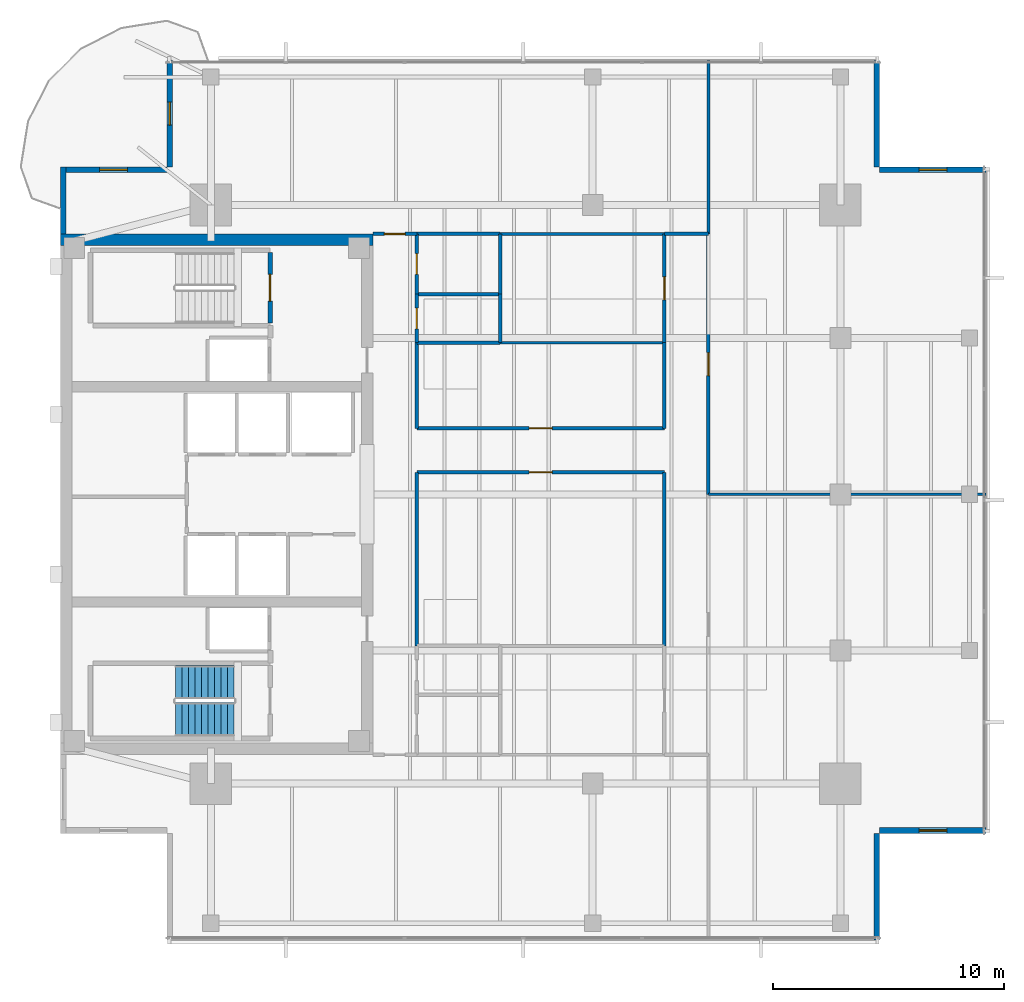
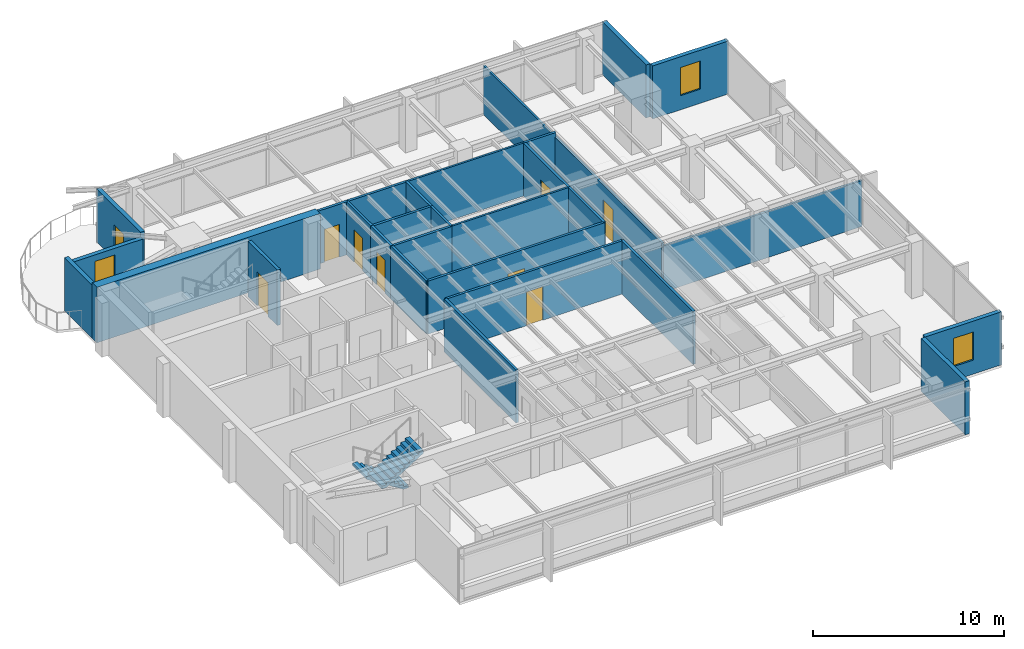
# One storey, part 9 of 14: 30 walls, 9 doors, 3 windows, 2 stair flights, 12 openings, 1 element without a shape of its own.
"""IFC4 building model written with IfcOpenShell, lengths in metres."""

from ifc_helpers import new_model, si_unit, direction, frame, frame_2d, origin, place, context, subcontext, project, spatial, polyline, rectangle, outline, extrude, material, layer, layer_set, type_object, element, fill, aggregate, save


model = new_model("IFC4")

# Units and contexts
model_context = context("Model", 3, precision=1e-05, world=origin(), true_north=direction((0.0, 1.0)))
body_context = subcontext(model_context, "Body", "Model", "MODEL_VIEW")
ifc_project = project(units=[si_unit("LENGTHUNIT", "METRE"), si_unit("AREAUNIT", "SQUARE_METRE"), si_unit("VOLUMEUNIT", "CUBIC_METRE"), si_unit("PLANEANGLEUNIT", "RADIAN"), si_unit("MASSUNIT", "GRAM", prefix="KILO")], contexts=[model_context])

# Site, building, storey
site_placement = place(None, origin())
site = spatial("IfcSite", under=ifc_project, at=site_placement, CompositionType="ELEMENT")
building_placement = place(site_placement, origin())
building = spatial("IfcBuilding", under=site, at=building_placement, Name="Kinhvarn Gate Tower", CompositionType="ELEMENT")
storey_placement = place(building_placement, frame((0.0, 0.0, 259.89990234375)))
storey = spatial("IfcBuildingStorey", under=building, at=storey_placement, Name="L69", CompositionType="ELEMENT", Elevation=259.89990234375)

# Walls
ifc_material_1 = material(Name="Concrete C50/60", Category="concrete")
ifc_layer_1 = layer(ifc_material_1, 0.5)
ifc_layer_set_1 = layer_set([ifc_layer_1], Name="Concrete C50/60")
wall_type_1 = type_object("IfcWallType", Name="WL-CORE-500", PredefinedType="SHEAR", material=ifc_layer_set_1)
wall_1_placement = place(storey_placement, frame((4.5, 36.25, 0.0), z_axis=(0.0, 0.0, 1.0), x_axis=(1.0, 0.0, 0.0)))
element("IfcWall", 1, at=wall_1_placement, inside=storey, type_object=wall_type_1, Name="Core North Shear Wall L69 500 mm", PredefinedType="SHEAR", context=body_context, shape_type="SweptSolid", body=[
    extrude(rectangle(XDim=13.5, YDim=0.5, at=frame_2d((6.75, 0.0))), origin(), (0.0, 0.0, 1.0), 3.550048828125),
])
ifc_material_2 = material(Name="Fired architectural terracotta", Category="masonry")
ifc_layer_2 = layer(ifc_material_2, 0.25)
ifc_layer_set_2 = layer_set([ifc_layer_2], Name="Fired architectural terracotta")
wall_type_2 = type_object("IfcWallType", Name="WL-EXT-250", PredefinedType="SOLIDWALL", material=ifc_layer_set_2)
wall_2_placement = place(storey_placement, frame((4.625, 39.39990234375, 0.0), z_axis=(0.0, 0.0, 1.0), x_axis=(0.0, -1.0, 0.0)))
element("IfcWall", 2, at=wall_2_placement, inside=storey, type_object=wall_type_2, Name="Exterior Solidwall Wall EW-250 (L69 West-North)", PredefinedType="SOLIDWALL", context=body_context, shape_type="SweptSolid", body=[
    extrude(rectangle(XDim=2.89990234375, YDim=0.25, at=frame_2d((1.449951171875, 0.0))), origin(), (0.0, 0.0, 1.0), 3.39013671875),
])
wall_3_placement = place(storey_placement, frame((39.77490234375, 6.0, 0.0), z_axis=(0.0, 0.0, 1.0), x_axis=(0.0, 1.0, 0.0)))
element("IfcWall", 3, at=wall_3_placement, inside=storey, type_object=wall_type_2, Name="Exterior Solidwall Wall EW-250 (L69 SE-Notch-1)", PredefinedType="SOLIDWALL", context=body_context, shape_type="SweptSolid", body=[
    extrude(rectangle(XDim=4.60009765625, YDim=0.25, at=frame_2d((2.300048828125, 0.0))), origin(), (0.0, 0.0, 1.0), 3.39013671875),
])

# Wall, opening, window
wall_4_placement = place(storey_placement, frame((39.89990234375, 10.72509765625, 0.0), z_axis=(0.0, 0.0, 1.0), x_axis=(1.0, 0.0, 0.0)))
wall_4 = element("IfcWall", 4, at=wall_4_placement, inside=storey, type_object=wall_type_2, Name="Exterior Solidwall Wall EW-250 (L69 SE-Notch-2)", PredefinedType="SOLIDWALL", context=body_context, shape_type="SweptSolid", body=[
    extrude(rectangle(XDim=4.60009765625, YDim=0.25, at=frame_2d((2.300048828125, 0.0))), origin(), (0.0, 0.0, 1.0), 3.39013671875),
])
opening_1_placement = place(wall_4_placement, frame((1.699951171875, 0.0, 0.89990234375)))
opening_1 = element("IfcOpeningElement", 5, at=opening_1_placement, cuts=wall_4, Name="Opening WN-02", PredefinedType="OPENING", context=body_context, shape_type="SweptSolid", body=[
    extrude(rectangle(XDim=1.199951171875, YDim=1.800048828125, at=frame_2d((0.60009765625, 0.89990234375))), frame((0.0, 0.135009765625, 0.0), z_axis=(0.0, -1.0, 0.0), x_axis=(1.0, 0.0, 0.0)), (0.0, 0.0, 1.0), 0.27001953125),
])
ifc_material_3 = material(Name="Clear low-e double glazing", Category="glass")
window_type = type_object("IfcWindowType", Name="WIN-NTC-1200", PartitioningType="SINGLE_PANEL", PredefinedType="WINDOW", material=ifc_material_3)
window_1_placement = place(opening_1_placement, origin())
window_1 = element("IfcWindow", 6, at=window_1_placement, inside=storey, type_object=window_type, Name="Recessed Corner Notch Punched Window 1200x1800 mm (L69)", OverallHeight=1.800048828125, OverallWidth=1.199951171875, PartitioningType="SINGLE_PANEL", PredefinedType="WINDOW", context=body_context, shape_type="SweptSolid", body=[
    extrude(rectangle(XDim=1.199951171875, YDim=1.800048828125, at=frame_2d((0.60009765625, 0.89990234375))), frame((0.0, 0.030029296875, 0.0), z_axis=(0.0, -1.0, 0.0), x_axis=(1.0, 0.0, 0.0)), (0.0, 0.0, 1.0), 0.06005859375),
])
fill(opening_1, window_1)

wall_5_placement = place(storey_placement, frame((44.5, 39.27490234375, 0.0), z_axis=(0.0, 0.0, 1.0), x_axis=(-1.0, 0.0, 0.0)))
wall_5 = element("IfcWall", 7, at=wall_5_placement, inside=storey, type_object=wall_type_2, Name="Exterior Solidwall Wall EW-250 (L69 NE-Notch-1)", PredefinedType="SOLIDWALL", context=body_context, shape_type="SweptSolid", body=[
    extrude(rectangle(XDim=4.60009765625, YDim=0.25, at=frame_2d((2.300048828125, 0.0))), origin(), (0.0, 0.0, 1.0), 3.39013671875),
])
opening_2_placement = place(wall_5_placement, frame((1.699951171875, 0.0, 0.89990234375)))
opening_2 = element("IfcOpeningElement", 8, at=opening_2_placement, cuts=wall_5, Name="Opening WN-02", PredefinedType="OPENING", context=body_context, shape_type="SweptSolid", body=[
    extrude(rectangle(XDim=1.199951171875, YDim=1.800048828125, at=frame_2d((0.60009765625, 0.89990234375))), frame((0.0, 0.135009765625, 0.0), z_axis=(0.0, -1.0, 0.0), x_axis=(1.0, 0.0, 0.0)), (0.0, 0.0, 1.0), 0.27001953125),
])
window_2_placement = place(opening_2_placement, origin())
window_2 = element("IfcWindow", 9, at=window_2_placement, inside=storey, type_object=window_type, Name="Recessed Corner Notch Punched Window 1200x1800 mm (L69)", OverallHeight=1.800048828125, OverallWidth=1.199951171875, PartitioningType="SINGLE_PANEL", PredefinedType="WINDOW", context=body_context, shape_type="SweptSolid", body=[
    extrude(rectangle(XDim=1.199951171875, YDim=1.800048828125, at=frame_2d((0.60009765625, 0.89990234375))), frame((0.0, 0.030029296875, 0.0), z_axis=(0.0, -1.0, 0.0), x_axis=(1.0, 0.0, 0.0)), (0.0, 0.0, 1.0), 0.06005859375),
])
fill(opening_2, window_2)

# Wall
wall_6_placement = place(storey_placement, frame((39.77490234375, 39.39990234375, 0.0), z_axis=(0.0, 0.0, 1.0), x_axis=(0.0, 1.0, 0.0)))
element("IfcWall", 10, at=wall_6_placement, inside=storey, type_object=wall_type_2, Name="Exterior Solidwall Wall EW-250 (L69 NE-Notch-2)", PredefinedType="SOLIDWALL", context=body_context, shape_type="SweptSolid", body=[
    extrude(rectangle(XDim=4.60009765625, YDim=0.25, at=frame_2d((2.300048828125, 0.0))), origin(), (0.0, 0.0, 1.0), 3.39013671875),
])

# Wall, opening, door
wall_7_placement = place(storey_placement, frame((9.22509765625, 44.0, 0.0), z_axis=(0.0, 0.0, 1.0), x_axis=(0.0, -1.0, 0.0)))
wall_7 = element("IfcWall", 11, at=wall_7_placement, inside=storey, type_object=wall_type_2, Name="Exterior Solidwall Wall EW-250 (L69 NW-Notch-Door)", PredefinedType="SOLIDWALL", context=body_context, shape_type="SweptSolid", body=[
    extrude(rectangle(XDim=4.60009765625, YDim=0.25, at=frame_2d((2.300048828125, 0.0))), origin(), (0.0, 0.0, 1.0), 3.39013671875),
])
opening_3_placement = place(wall_7_placement, frame((1.800048828125, 0.0, 0.0)))
opening_3 = element("IfcOpeningElement", 12, at=opening_3_placement, cuts=wall_7, Name="Opening BD-01", PredefinedType="OPENING", context=body_context, shape_type="SweptSolid", body=[
    extrude(rectangle(XDim=1.0, YDim=2.199951171875, at=frame_2d((0.5, 1.10009765625))), frame((0.0, 0.135009765625, 0.0), z_axis=(0.0, -1.0, 0.0), x_axis=(1.0, 0.0, 0.0)), (0.0, 0.0, 1.0), 0.27001953125),
])
door_type_1 = type_object("IfcDoorType", Name="DR-BAL-1000", OperationType="NOTDEFINED", PredefinedType="DOOR", material=ifc_material_3)
door_1_placement = place(opening_3_placement, frame((1.0, 0.0, 0.0), z_axis=(0.0, 0.0, 1.0), x_axis=(-1.0, 0.0, 0.0)))
door_1 = element("IfcDoor", 13, at=door_1_placement, inside=storey, type_object=door_type_1, Name="S-Carve Balcony Door BD-01 (L69)", OperationType="SINGLE_SWING_RIGHT", OverallHeight=2.199951171875, OverallWidth=1.0, PredefinedType="DOOR", context=body_context, shape_type="SweptSolid", body=[
    extrude(rectangle(XDim=1.0, YDim=2.199951171875, at=frame_2d((0.5, 1.10009765625))), frame((0.0, 0.02490234375, 0.0), z_axis=(0.0, -1.0, 0.0), x_axis=(1.0, 0.0, 0.0)), (0.0, 0.0, 1.0), 0.050048828125),
])
fill(opening_3, door_1)

# Wall, opening, window
wall_8_placement = place(storey_placement, frame((9.10009765625, 39.27490234375, 0.0), z_axis=(0.0, 0.0, 1.0), x_axis=(-1.0, 0.0, 0.0)))
wall_8 = element("IfcWall", 14, at=wall_8_placement, inside=storey, type_object=wall_type_2, Name="Exterior Solidwall Wall EW-250 (L69 NW-Notch-Win)", PredefinedType="SOLIDWALL", context=body_context, shape_type="SweptSolid", body=[
    extrude(rectangle(XDim=4.60009765625, YDim=0.25, at=frame_2d((2.300048828125, 0.0))), origin(), (0.0, 0.0, 1.0), 3.1201171875),
])
opening_4_placement = place(wall_8_placement, frame((1.699951171875, 0.0, 0.89990234375)))
opening_4 = element("IfcOpeningElement", 15, at=opening_4_placement, cuts=wall_8, Name="Opening WN-02", PredefinedType="OPENING", context=body_context, shape_type="SweptSolid", body=[
    extrude(rectangle(XDim=1.199951171875, YDim=1.800048828125, at=frame_2d((0.60009765625, 0.89990234375))), frame((0.0, 0.135009765625, 0.0), z_axis=(0.0, -1.0, 0.0), x_axis=(1.0, 0.0, 0.0)), (0.0, 0.0, 1.0), 0.27001953125),
])
window_3_placement = place(opening_4_placement, origin())
window_3 = element("IfcWindow", 16, at=window_3_placement, inside=storey, type_object=window_type, Name="Recessed Corner Notch Punched Window 1200x1800 mm (L69)", OverallHeight=1.800048828125, OverallWidth=1.199951171875, PartitioningType="SINGLE_PANEL", PredefinedType="WINDOW", context=body_context, shape_type="SweptSolid", body=[
    extrude(rectangle(XDim=1.199951171875, YDim=1.800048828125, at=frame_2d((0.60009765625, 0.89990234375))), frame((0.0, 0.030029296875, 0.0), z_axis=(0.0, -1.0, 0.0), x_axis=(1.0, 0.0, 0.0)), (0.0, 0.0, 1.0), 0.06005859375),
])
fill(opening_4, window_3)

# Walls
ifc_material_4 = material(Name="Gypsum acoustic partition board")
ifc_layer_3 = layer(ifc_material_4, 0.14990234375)
ifc_layer_set_3 = layer_set([ifc_layer_3], Name="Gypsum acoustic partition board")
wall_type_3 = type_object("IfcWallType", Name="WL-PLM-150", PredefinedType="PLUMBINGWALL", material=ifc_layer_set_3)
wall_9_placement = place(storey_placement, frame((19.89990234375, 33.89990234375, 0.0), z_axis=(0.0, 0.0, 1.0), x_axis=(1.0, 0.0, 0.0)))
element("IfcWall", 17, at=wall_9_placement, inside=storey, type_object=wall_type_3, Name="Interior Partition PLW-150 (L69)", PredefinedType="PLUMBINGWALL", context=body_context, shape_type="SweptSolid", body=[
    extrude(rectangle(XDim=3.60009765625, YDim=0.14990234375, at=frame_2d((1.800048828125, 0.0))), origin(), (0.0, 0.0, 1.0), 3.39013671875),
])
wall_10_placement = place(storey_placement, frame((23.5, 33.89990234375, 0.0), z_axis=(0.0, 0.0, 1.0), x_axis=(0.0, 1.0, 0.0)))
element("IfcWall", 18, at=wall_10_placement, inside=storey, type_object=wall_type_3, Name="Interior Partition PLW-150 (L69)", PredefinedType="PLUMBINGWALL", context=body_context, shape_type="SweptSolid", body=[
    extrude(rectangle(XDim=2.60009765625, YDim=0.14990234375, at=frame_2d((1.300048828125, 0.0))), origin(), (0.0, 0.0, 1.0), 3.39013671875),
])
wall_11_placement = place(storey_placement, frame((19.89990234375, 36.5, 0.0), z_axis=(0.0, 0.0, 1.0), x_axis=(1.0, 0.0, 0.0)))
element("IfcWall", 19, at=wall_11_placement, inside=storey, type_object=wall_type_3, Name="Interior Partition PLW-150 (L69)", PredefinedType="PLUMBINGWALL", context=body_context, shape_type="SweptSolid", body=[
    extrude(rectangle(XDim=3.60009765625, YDim=0.14990234375, at=frame_2d((1.800048828125, 0.0))), origin(), (0.0, 0.0, 1.0), 3.39013671875),
])
wall_12_placement = place(storey_placement, frame((23.5, 31.800048828125, 0.0), z_axis=(0.0, 0.0, 1.0), x_axis=(0.0, 1.0, 0.0)))
element("IfcWall", 20, at=wall_12_placement, inside=storey, type_object=wall_type_3, Name="Interior Partition PLW-150 (L69)", PredefinedType="PLUMBINGWALL", context=body_context, shape_type="SweptSolid", body=[
    extrude(rectangle(XDim=2.099853515625, YDim=0.14990234375, at=frame_2d((1.0498046875, 0.0))), origin(), (0.0, 0.0, 1.0), 3.39013671875),
])
wall_13_placement = place(storey_placement, frame((19.89990234375, 31.800048828125, 0.0), z_axis=(0.0, 0.0, 1.0), x_axis=(1.0, 0.0, 0.0)))
element("IfcWall", 21, at=wall_13_placement, inside=storey, type_object=wall_type_3, Name="Interior Partition PLW-150 (L69)", PredefinedType="PLUMBINGWALL", context=body_context, shape_type="SweptSolid", body=[
    extrude(rectangle(XDim=3.60009765625, YDim=0.14990234375, at=frame_2d((1.800048828125, 0.0))), origin(), (0.0, 0.0, 1.0), 3.39013671875),
])

# Wall, opening, door
ifc_layer_4 = layer(ifc_material_4, 0.14990234375)
ifc_layer_set_4 = layer_set([ifc_layer_4], Name="Gypsum acoustic partition board")
wall_type_4 = type_object("IfcWallType", Name="WL-PLM-150F", PredefinedType="PLUMBINGWALL", material=ifc_layer_set_4)
wall_14_placement = place(storey_placement, frame((19.89990234375, 33.89990234375, 0.0), z_axis=(0.0, 0.0, 1.0), x_axis=(0.0, 1.0, 0.0)))
wall_14 = element("IfcWall", 22, at=wall_14_placement, inside=storey, type_object=wall_type_4, Name="Interior Partition PLW-150F (L69)", PredefinedType="PLUMBINGWALL", context=body_context, shape_type="SweptSolid", body=[
    extrude(rectangle(XDim=2.60009765625, YDim=0.14990234375, at=frame_2d((1.300048828125, 0.0))), origin(), (0.0, 0.0, 1.0), 3.39013671875),
])
opening_5_placement = place(wall_14_placement, frame((0.85009765625, 0.0, 0.0)))
opening_5 = element("IfcOpeningElement", 23, at=opening_5_placement, cuts=wall_14, Name="Opening FD-04", PredefinedType="OPENING", context=body_context, shape_type="SweptSolid", body=[
    extrude(rectangle(XDim=0.89990234375, YDim=2.10009765625, at=frame_2d((0.449951171875, 1.050048828125))), frame((0.0, 0.0849609375, 0.0), z_axis=(0.0, -1.0, 0.0), x_axis=(1.0, 0.0, 0.0)), (0.0, 0.0, 1.0), 0.169921875),
])
ifc_material_5 = material(Name="Anodised aluminium AW-6063", Category="aluminium")
door_type_2 = type_object("IfcDoorType", Name="DR-FD-900", OperationType="NOTDEFINED", PredefinedType="DOOR", material=ifc_material_5)
door_2_placement = place(opening_5_placement, origin())
door_2 = element("IfcDoor", 24, at=door_2_placement, inside=storey, type_object=door_type_2, Name="Rated Riser & Service Closet Fire Door 900x2100 mm (L69)", OperationType="SINGLE_SWING_RIGHT", OverallHeight=2.10009765625, OverallWidth=0.89990234375, PredefinedType="DOOR", context=body_context, shape_type="SweptSolid", body=[
    extrude(rectangle(XDim=0.89990234375, YDim=2.10009765625, at=frame_2d((0.449951171875, 1.050048828125))), frame((0.0, 0.02490234375, 0.0), z_axis=(0.0, -1.0, 0.0), x_axis=(1.0, 0.0, 0.0)), (0.0, 0.0, 1.0), 0.050048828125),
])
fill(opening_5, door_2)

wall_15_placement = place(storey_placement, frame((19.89990234375, 31.800048828125, 0.0), z_axis=(0.0, 0.0, 1.0), x_axis=(0.0, 1.0, 0.0)))
wall_15 = element("IfcWall", 25, at=wall_15_placement, inside=storey, type_object=wall_type_4, Name="Interior Partition PLW-150F (L69)", PredefinedType="PLUMBINGWALL", context=body_context, shape_type="SweptSolid", body=[
    extrude(rectangle(XDim=2.099853515625, YDim=0.14990234375, at=frame_2d((1.0498046875, 0.0))), origin(), (0.0, 0.0, 1.0), 3.39013671875),
])
opening_6_placement = place(wall_15_placement, frame((0.60009765625, 0.0, 0.0)))
opening_6 = element("IfcOpeningElement", 26, at=opening_6_placement, cuts=wall_15, Name="Opening FD-04", PredefinedType="OPENING", context=body_context, shape_type="SweptSolid", body=[
    extrude(rectangle(XDim=0.89990234375, YDim=2.10009765625, at=frame_2d((0.449951171875, 1.050048828125))), frame((0.0, 0.0849609375, 0.0), z_axis=(0.0, -1.0, 0.0), x_axis=(1.0, 0.0, 0.0)), (0.0, 0.0, 1.0), 0.169921875),
])
door_3_placement = place(opening_6_placement, origin())
door_3 = element("IfcDoor", 27, at=door_3_placement, inside=storey, type_object=door_type_2, Name="Rated Riser & Service Closet Fire Door 900x2100 mm (L69)", OperationType="SINGLE_SWING_RIGHT", OverallHeight=2.10009765625, OverallWidth=0.89990234375, PredefinedType="DOOR", context=body_context, shape_type="SweptSolid", body=[
    extrude(rectangle(XDim=0.89990234375, YDim=2.10009765625, at=frame_2d((0.449951171875, 1.050048828125))), frame((0.0, 0.02490234375, 0.0), z_axis=(0.0, -1.0, 0.0), x_axis=(1.0, 0.0, 0.0)), (0.0, 0.0, 1.0), 0.050048828125),
])
fill(opening_6, door_3)

# Walls
ifc_layer_5 = layer(ifc_material_4, 0.1201171875)
ifc_layer_set_5 = layer_set([ifc_layer_5], Name="Gypsum acoustic partition board")
wall_type_5 = type_object("IfcWallType", Name="WL-PRT-120", PredefinedType="PARTITIONING", material=ifc_layer_set_5)
for number, where, z_axis, x_axis, name in (
    (28, (23.5, 31.800048828125, 0.0), (0.0, 0.0, 1.0), (1.0, 0.0, 0.0), "Interior Partition PW-120 (L69)"),
    (29, (23.5, 36.5, 0.0), (0.0, 0.0, 1.0), (1.0, 0.0, 0.0), "Interior Partition PW-120 (L69)"),
):
    element("IfcWall", number, at=place(storey_placement, frame(where, z_axis=z_axis, x_axis=x_axis)), inside=storey, type_object=wall_type_5, Name=name, PredefinedType="PARTITIONING", context=body_context, shape_type="SweptSolid", body=[
        extrude(rectangle(XDim=7.10009765625, YDim=0.1201171875, at=frame_2d((3.550048828125, 0.0))), origin(), (0.0, 0.0, 1.0), 3.39013671875),
    ])
wall_16_placement = place(storey_placement, frame((32.5, 36.5, 0.0), z_axis=(0.0, 0.0, 1.0), x_axis=(0.0, 1.0, 0.0)))
element("IfcWall", 30, at=wall_16_placement, inside=storey, type_object=wall_type_5, Name="Interior Partition PW-120 (L69)", PredefinedType="PARTITIONING", context=body_context, shape_type="SweptSolid", body=[
    extrude(rectangle(XDim=7.489990234375, YDim=0.1201171875, at=frame_2d((3.7451171875, 0.0))), origin(), (0.0, 0.0, 1.0), 3.1201171875),
])
wall_17_placement = place(storey_placement, frame((32.5, 25.25, 0.0), z_axis=(0.0, 0.0, 1.0), x_axis=(1.0, 0.0, 0.0)))
element("IfcWall", 31, at=wall_17_placement, inside=storey, type_object=wall_type_5, Name="Interior Partition PW-120 (L69)", PredefinedType="PARTITIONING", context=body_context, shape_type="SweptSolid", body=[
    extrude(rectangle(XDim=11.989990234375, YDim=0.1201171875, at=frame_2d((5.9951171875, 0.0))), origin(), (0.0, 0.0, 1.0), 2.940185546875),
])
ifc_layer_6 = layer(ifc_material_4, 0.14990234375)
ifc_layer_set_6 = layer_set([ifc_layer_6], Name="Gypsum acoustic partition board")
wall_type_6 = type_object("IfcWallType", Name="WL-PRT-150F", PredefinedType="PARTITIONING", material=ifc_layer_set_6)
wall_18_placement = place(storey_placement, frame((19.89990234375, 18.699951171875, 0.0), z_axis=(0.0, 0.0, 1.0), x_axis=(0.0, 1.0, 0.0)))
element("IfcWall", 32, at=wall_18_placement, inside=storey, type_object=wall_type_6, Name="Interior Partition PW-150F (L69)", PredefinedType="PARTITIONING", context=body_context, shape_type="SweptSolid", body=[
    extrude(rectangle(XDim=7.5, YDim=0.14990234375, at=frame_2d((3.75, 0.0))), origin(), (0.0, 0.0, 1.0), 3.39013671875),
])
wall_19_placement = place(storey_placement, frame((19.89990234375, 28.10009765625, 0.0), z_axis=(0.0, 0.0, 1.0), x_axis=(0.0, 1.0, 0.0)))
element("IfcWall", 33, at=wall_19_placement, inside=storey, type_object=wall_type_6, Name="Interior Partition PW-150F (L69)", PredefinedType="PARTITIONING", context=body_context, shape_type="SweptSolid", body=[
    extrude(rectangle(XDim=3.699951171875, YDim=0.14990234375, at=frame_2d((1.85009765625, 0.0))), origin(), (0.0, 0.0, 1.0), 3.39013671875),
])

# Wall, opening, door
wall_20_placement = place(storey_placement, frame((18.0, 36.5, 0.0), z_axis=(0.0, 0.0, 1.0), x_axis=(1.0, 0.0, 0.0)))
wall_20 = element("IfcWall", 34, at=wall_20_placement, inside=storey, type_object=wall_type_6, Name="Interior Partition PW-150F (L69)", PredefinedType="PARTITIONING", context=body_context, shape_type="SweptSolid", body=[
    extrude(rectangle(XDim=1.89990234375, YDim=0.14990234375, at=frame_2d((0.949951171875, 0.0))), origin(), (0.0, 0.0, 1.0), 3.39013671875),
])
opening_7_placement = place(wall_20_placement, frame((0.5, 0.0, 0.0)))
opening_7 = element("IfcOpeningElement", 35, at=opening_7_placement, cuts=wall_20, Name="Opening ID-03", PredefinedType="OPENING", context=body_context, shape_type="SweptSolid", body=[
    extrude(rectangle(XDim=0.89990234375, YDim=2.10009765625, at=frame_2d((0.449951171875, 1.050048828125))), frame((0.0, 0.0849609375, 0.0), z_axis=(0.0, -1.0, 0.0), x_axis=(1.0, 0.0, 0.0)), (0.0, 0.0, 1.0), 0.169921875),
])
door_type_3 = type_object("IfcDoorType", Name="DR-INT-900", OperationType="NOTDEFINED", PredefinedType="DOOR", material=ifc_material_5)
door_4_placement = place(opening_7_placement, origin())
door_4 = element("IfcDoor", 36, at=door_4_placement, inside=storey, type_object=door_type_3, Name="Cellular Office & Restroom Door 900x2100 mm (L69)", OperationType="SINGLE_SWING_RIGHT", OverallHeight=2.10009765625, OverallWidth=0.89990234375, PredefinedType="DOOR", context=body_context, shape_type="SweptSolid", body=[
    extrude(rectangle(XDim=0.89990234375, YDim=2.10009765625, at=frame_2d((0.449951171875, 1.050048828125))), frame((0.0, 0.02490234375, 0.0), z_axis=(0.0, -1.0, 0.0), x_axis=(1.0, 0.0, 0.0)), (0.0, 0.0, 1.0), 0.050048828125),
])
fill(opening_7, door_4)

wall_21_placement = place(storey_placement, frame((19.89990234375, 26.199951171875, 0.0), z_axis=(0.0, 0.0, 1.0), x_axis=(1.0, 0.0, 0.0)))
wall_21 = element("IfcWall", 37, at=wall_21_placement, inside=storey, type_object=wall_type_6, Name="Interior Partition PW-150F (L69)", PredefinedType="PARTITIONING", context=body_context, shape_type="SweptSolid", body=[
    extrude(rectangle(XDim=10.7001953125, YDim=0.14990234375, at=frame_2d((5.35009765625, 0.0))), origin(), (0.0, 0.0, 1.0), 3.39013671875),
])
opening_8_placement = place(wall_21_placement, frame((4.85009765625, 0.0, 0.0)))
opening_8 = element("IfcOpeningElement", 38, at=opening_8_placement, cuts=wall_21, Name="Opening ID-02", PredefinedType="OPENING", context=body_context, shape_type="SweptSolid", body=[
    extrude(rectangle(XDim=1.0, YDim=2.14990234375, at=frame_2d((0.5, 1.074951171875))), frame((0.0, 0.0849609375, 0.0), z_axis=(0.0, -1.0, 0.0), x_axis=(1.0, 0.0, 0.0)), (0.0, 0.0, 1.0), 0.169921875),
])
door_type_4 = type_object("IfcDoorType", Name="DR-INT-1000", OperationType="NOTDEFINED", PredefinedType="DOOR", material=ifc_material_5)
door_5_placement = place(opening_8_placement, origin())
door_5 = element("IfcDoor", 39, at=door_5_placement, inside=storey, type_object=door_type_4, Name="Standard Office & Meeting Room Door 1000x2150 mm (L69)", OperationType="SINGLE_SWING_LEFT", OverallHeight=2.14990234375, OverallWidth=1.0, PredefinedType="DOOR", context=body_context, shape_type="SweptSolid", body=[
    extrude(rectangle(XDim=1.0, YDim=2.14990234375, at=frame_2d((0.5, 1.074951171875))), frame((0.0, 0.02490234375, 0.0), z_axis=(0.0, -1.0, 0.0), x_axis=(1.0, 0.0, 0.0)), (0.0, 0.0, 1.0), 0.050048828125),
])
fill(opening_8, door_5)

wall_22_placement = place(storey_placement, frame((19.89990234375, 28.10009765625, 0.0), z_axis=(0.0, 0.0, 1.0), x_axis=(1.0, 0.0, 0.0)))
wall_22 = element("IfcWall", 40, at=wall_22_placement, inside=storey, type_object=wall_type_6, Name="Interior Partition PW-150F (L69)", PredefinedType="PARTITIONING", context=body_context, shape_type="SweptSolid", body=[
    extrude(rectangle(XDim=10.7001953125, YDim=0.14990234375, at=frame_2d((5.35009765625, 0.0))), origin(), (0.0, 0.0, 1.0), 3.39013671875),
])
opening_9_placement = place(wall_22_placement, frame((4.85009765625, 0.0, 0.0)))
opening_9 = element("IfcOpeningElement", 41, at=opening_9_placement, cuts=wall_22, Name="Opening ID-02", PredefinedType="OPENING", context=body_context, shape_type="SweptSolid", body=[
    extrude(rectangle(XDim=1.0, YDim=2.14990234375, at=frame_2d((0.5, 1.074951171875))), frame((0.0, 0.0849609375, 0.0), z_axis=(0.0, -1.0, 0.0), x_axis=(1.0, 0.0, 0.0)), (0.0, 0.0, 1.0), 0.169921875),
])
door_6_placement = place(opening_9_placement, origin())
door_6 = element("IfcDoor", 42, at=door_6_placement, inside=storey, type_object=door_type_4, Name="Standard Office & Meeting Room Door 1000x2150 mm (L69)", OperationType="SINGLE_SWING_RIGHT", OverallHeight=2.14990234375, OverallWidth=1.0, PredefinedType="DOOR", context=body_context, shape_type="SweptSolid", body=[
    extrude(rectangle(XDim=1.0, YDim=2.14990234375, at=frame_2d((0.5, 1.074951171875))), frame((0.0, 0.02490234375, 0.0), z_axis=(0.0, -1.0, 0.0), x_axis=(1.0, 0.0, 0.0)), (0.0, 0.0, 1.0), 0.050048828125),
])
fill(opening_9, door_6)

wall_23_placement = place(storey_placement, frame((30.60009765625, 31.800048828125, 0.0), z_axis=(0.0, 0.0, 1.0), x_axis=(0.0, 1.0, 0.0)))
wall_23 = element("IfcWall", 43, at=wall_23_placement, inside=storey, type_object=wall_type_6, Name="Interior Partition PW-150F (L69)", PredefinedType="PARTITIONING", context=body_context, shape_type="SweptSolid", body=[
    extrude(rectangle(XDim=4.699951171875, YDim=0.14990234375, at=frame_2d((2.35009765625, 0.0))), origin(), (0.0, 0.0, 1.0), 3.39013671875),
])
opening_10_placement = place(wall_23_placement, frame((1.85009765625, 0.0, 0.0)))
opening_10 = element("IfcOpeningElement", 44, at=opening_10_placement, cuts=wall_23, Name="Opening ID-02", PredefinedType="OPENING", context=body_context, shape_type="SweptSolid", body=[
    extrude(rectangle(XDim=1.0, YDim=2.14990234375, at=frame_2d((0.5, 1.074951171875))), frame((0.0, 0.0849609375, 0.0), z_axis=(0.0, -1.0, 0.0), x_axis=(1.0, 0.0, 0.0)), (0.0, 0.0, 1.0), 0.169921875),
])
door_7_placement = place(opening_10_placement, origin())
door_7 = element("IfcDoor", 45, at=door_7_placement, inside=storey, type_object=door_type_4, Name="Standard Office & Meeting Room Door 1000x2150 mm (L69)", OperationType="SINGLE_SWING_RIGHT", OverallHeight=2.14990234375, OverallWidth=1.0, PredefinedType="DOOR", context=body_context, shape_type="SweptSolid", body=[
    extrude(rectangle(XDim=1.0, YDim=2.14990234375, at=frame_2d((0.5, 1.074951171875))), frame((0.0, 0.02490234375, 0.0), z_axis=(0.0, -1.0, 0.0), x_axis=(1.0, 0.0, 0.0)), (0.0, 0.0, 1.0), 0.050048828125),
])
fill(opening_10, door_7)

# Walls
wall_24_placement = place(storey_placement, frame((30.60009765625, 18.699951171875, 0.0), z_axis=(0.0, 0.0, 1.0), x_axis=(0.0, 1.0, 0.0)))
element("IfcWall", 46, at=wall_24_placement, inside=storey, type_object=wall_type_6, Name="Interior Partition PW-150F (L69)", PredefinedType="PARTITIONING", context=body_context, shape_type="SweptSolid", body=[
    extrude(rectangle(XDim=7.5, YDim=0.14990234375, at=frame_2d((3.75, 0.0))), origin(), (0.0, 0.0, 1.0), 3.39013671875),
])
wall_25_placement = place(storey_placement, frame((30.60009765625, 28.10009765625, 0.0), z_axis=(0.0, 0.0, 1.0), x_axis=(0.0, 1.0, 0.0)))
element("IfcWall", 47, at=wall_25_placement, inside=storey, type_object=wall_type_6, Name="Interior Partition PW-150F (L69)", PredefinedType="PARTITIONING", context=body_context, shape_type="SweptSolid", body=[
    extrude(rectangle(XDim=3.699951171875, YDim=0.14990234375, at=frame_2d((1.85009765625, 0.0))), origin(), (0.0, 0.0, 1.0), 3.39013671875),
])
wall_26_placement = place(storey_placement, frame((30.60009765625, 36.5, 0.0), z_axis=(0.0, 0.0, 1.0), x_axis=(1.0, 0.0, 0.0)))
element("IfcWall", 48, at=wall_26_placement, inside=storey, type_object=wall_type_6, Name="Interior Partition PW-150F (L69)", PredefinedType="PARTITIONING", context=body_context, shape_type="SweptSolid", body=[
    extrude(rectangle(XDim=1.89990234375, YDim=0.14990234375, at=frame_2d((0.949951171875, 0.0))), origin(), (0.0, 0.0, 1.0), 3.39013671875),
])

# Wall, opening, door
wall_27_placement = place(storey_placement, frame((32.5, 25.25, 0.0), z_axis=(0.0, 0.0, 1.0), x_axis=(0.0, 1.0, 0.0)))
wall_27 = element("IfcWall", 49, at=wall_27_placement, inside=storey, type_object=wall_type_6, Name="Interior Partition PW-150F (L69)", PredefinedType="PARTITIONING", context=body_context, shape_type="SweptSolid", body=[
    extrude(rectangle(XDim=11.25, YDim=0.14990234375, at=frame_2d((5.625, 0.0))), origin(), (0.0, 0.0, 1.0), 3.1201171875),
])
opening_11_placement = place(wall_27_placement, frame((5.125, 0.0, 0.0)))
opening_11 = element("IfcOpeningElement", 50, at=opening_11_placement, cuts=wall_27, Name="Opening ID-02", PredefinedType="OPENING", context=body_context, shape_type="SweptSolid", body=[
    extrude(rectangle(XDim=1.0, YDim=2.14990234375, at=frame_2d((0.5, 1.074951171875))), frame((0.0, 0.0849609375, 0.0), z_axis=(0.0, -1.0, 0.0), x_axis=(1.0, 0.0, 0.0)), (0.0, 0.0, 1.0), 0.169921875),
])
door_8_placement = place(opening_11_placement, origin())
door_8 = element("IfcDoor", 51, at=door_8_placement, inside=storey, type_object=door_type_4, Name="Standard Office & Meeting Room Door 1000x2150 mm (L69)", OperationType="SINGLE_SWING_RIGHT", OverallHeight=2.14990234375, OverallWidth=1.0, PredefinedType="DOOR", context=body_context, shape_type="SweptSolid", body=[
    extrude(rectangle(XDim=1.0, YDim=2.14990234375, at=frame_2d((0.5, 1.074951171875))), frame((0.0, 0.02490234375, 0.0), z_axis=(0.0, -1.0, 0.0), x_axis=(1.0, 0.0, 0.0)), (0.0, 0.0, 1.0), 0.050048828125),
])
fill(opening_11, door_8)

ifc_material_6 = material(Name="Concrete C40/50", Category="concrete")
ifc_layer_7 = layer(ifc_material_6, 0.199951171875)
ifc_layer_set_7 = layer_set([ifc_layer_7], Name="Concrete C40/50")
wall_type_7 = type_object("IfcWallType", Name="WL-SHF-200", PredefinedType="SOLIDWALL", material=ifc_layer_set_7)
wall_28_placement = place(storey_placement, frame((13.56005859375, 32.64990234375, 0.0), z_axis=(0.0, 0.0, 1.0), x_axis=(0.0, 1.0, 0.0)))
wall_28 = element("IfcWall", 52, at=wall_28_placement, inside=storey, type_object=wall_type_7, Name="Stair ST2 East Entry Wall (L69)", PredefinedType="SOLIDWALL", context=body_context, shape_type="SweptSolid", body=[
    extrude(rectangle(XDim=3.050048828125, YDim=0.199951171875, at=frame_2d((1.52490234375, 0.0))), origin(), (0.0, 0.0, 1.0), 3.550048828125),
])
opening_12_placement = place(wall_28_placement, frame((0.949951171875, 0.0, 0.0)))
opening_12 = element("IfcOpeningElement", 53, at=opening_12_placement, cuts=wall_28, Name="Opening FD-01", PredefinedType="OPENING", context=body_context, shape_type="SweptSolid", body=[
    extrude(rectangle(XDim=1.14990234375, YDim=2.14990234375, at=frame_2d((0.574951171875, 1.074951171875))), frame((0.0, 0.10986328125, 0.0), z_axis=(0.0, -1.0, 0.0), x_axis=(1.0, 0.0, 0.0)), (0.0, 0.0, 1.0), 0.219970703125),
])
door_type_5 = type_object("IfcDoorType", Name="DR-ST-1150", OperationType="NOTDEFINED", PredefinedType="DOOR", material=ifc_material_5)
door_9_placement = place(opening_12_placement, origin())
door_9 = element("IfcDoor", 54, at=door_9_placement, inside=storey, type_object=door_type_5, Name="Exit Stair ST2 Fire Door (L69)", OperationType="SINGLE_SWING_RIGHT", OverallHeight=2.14990234375, OverallWidth=1.14990234375, PredefinedType="DOOR", context=body_context, shape_type="SweptSolid", body=[
    extrude(rectangle(XDim=1.14990234375, YDim=2.14990234375, at=frame_2d((0.574951171875, 1.074951171875))), frame((0.0, 0.02490234375, 0.0), z_axis=(0.0, -1.0, 0.0), x_axis=(1.0, 0.0, 0.0)), (0.0, 0.0, 1.0), 0.050048828125),
])
fill(opening_12, door_9)

# Stair, stair flights
stair_type = type_object("IfcStairType", Name="STR-DLG-178", PredefinedType="HALF_TURN_STAIR", material=ifc_material_6)
stair_placement = place(storey_placement, origin())
stair = element("IfcStair", 55, at=stair_placement, inside=storey, type_object=stair_type, Name="L69 Core Smokeproof Exit Stair ST1", PredefinedType="HALF_TURN_STAIR")
stair_flight_type = type_object("IfcStairFlightType", Name="STF-DLG-178", PredefinedType="STRAIGHT", material=ifc_material_6)
stair_flight_1_placement = place(storey_placement, frame((12.0, 17.125, 0.0), z_axis=(0.0, 0.0, 1.0), x_axis=(-1.0, 0.0, 0.0)))
stair_flight_1 = element("IfcStairFlight", 56, at=stair_flight_1_placement, type_object=stair_flight_type, Name="ST1 flight 1", NumberOfRisers=10, NumberOfTreads=9, PredefinedType="STRAIGHT", RiserHeight=0.1775, TreadLength=0.28, context=body_context, shape_type="SweptSolid", body=[
    extrude(outline(polyline([(0.0, 0.0), (0.0, 0.177490234375), (0.280029296875, 0.177490234375), (0.280029296875, 0.35498046875), (0.56005859375, 0.35498046875), (0.56005859375, 0.532470703125), (0.840087890625, 0.532470703125), (0.840087890625, 0.7099609375), (1.1201171875, 0.7099609375), (1.1201171875, 0.887451171875), (1.39990234375, 0.887451171875), (1.39990234375, 1.06494140625), (1.679931640625, 1.06494140625), (1.679931640625, 1.242431640625), (1.9599609375, 1.242431640625), (1.9599609375, 1.419921875), (2.239990234375, 1.419921875), (2.239990234375, 1.597412109375), (2.52001953125, 1.597412109375), (2.52001953125, 1.77490234375), (2.52001953125, 1.419921875), (0.280029296875, 0.0), (0.0, 0.0)])), frame((0.0, 0.72509765625, 0.0), z_axis=(0.0, -1.0, 0.0), x_axis=(1.0, 0.0, 0.0)), (0.0, 0.0, 1.0), 1.449951171875),
])
stair_flight_2_placement = place(storey_placement, frame((9.47998046875, 15.52490234375, 1.775146484375), z_axis=(0.0, 0.0, 1.0), x_axis=(1.0, 0.0, 0.0)))
stair_flight_2 = element("IfcStairFlight", 57, at=stair_flight_2_placement, type_object=stair_flight_type, Name="ST1 flight 2", NumberOfRisers=10, NumberOfTreads=9, PredefinedType="STRAIGHT", RiserHeight=0.1775, TreadLength=0.28, context=body_context, shape_type="SweptSolid", body=[
    extrude(outline(polyline([(0.0, 0.0), (0.0, 0.177490234375), (0.280029296875, 0.177490234375), (0.280029296875, 0.35498046875), (0.56005859375, 0.35498046875), (0.56005859375, 0.532470703125), (0.840087890625, 0.532470703125), (0.840087890625, 0.7099609375), (1.1201171875, 0.7099609375), (1.1201171875, 0.887451171875), (1.39990234375, 0.887451171875), (1.39990234375, 1.06494140625), (1.679931640625, 1.06494140625), (1.679931640625, 1.242431640625), (1.9599609375, 1.242431640625), (1.9599609375, 1.419921875), (2.239990234375, 1.419921875), (2.239990234375, 1.597412109375), (2.52001953125, 1.597412109375), (2.52001953125, 1.77490234375), (2.52001953125, 1.419921875), (0.280029296875, 0.0), (0.0, 0.0)])), frame((0.0, 0.72509765625, 0.0), z_axis=(0.0, -1.0, 0.0), x_axis=(1.0, 0.0, 0.0)), (0.0, 0.0, 1.0), 1.449951171875),
])
aggregate(stair, [stair_flight_1, stair_flight_2])

save(model, "model.ifc")
